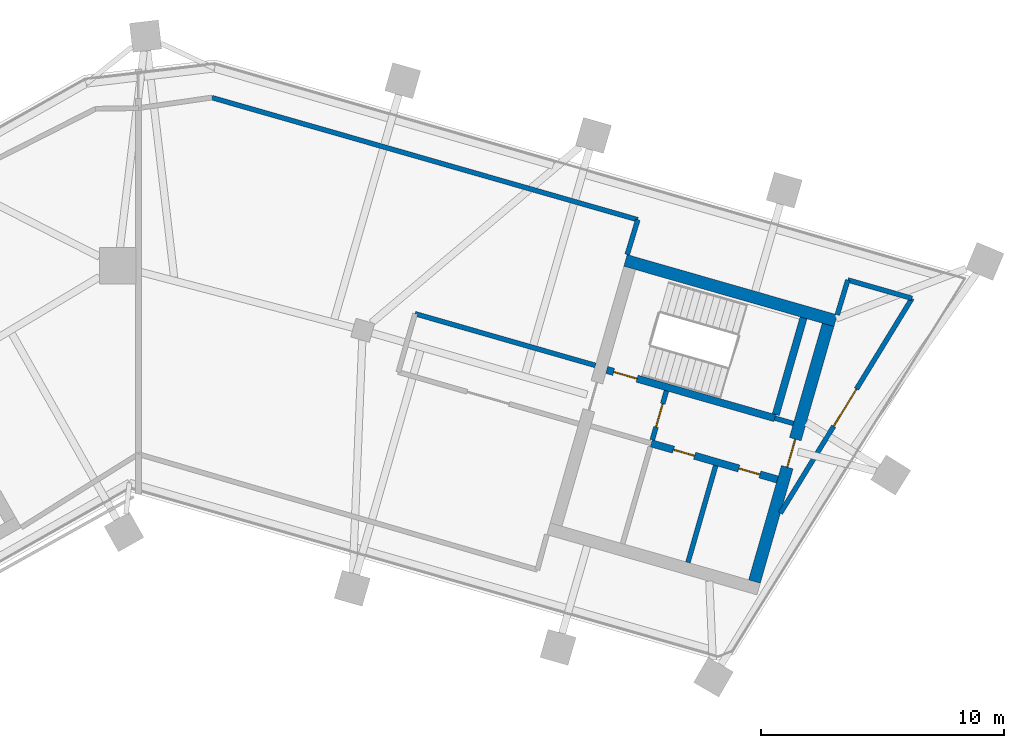
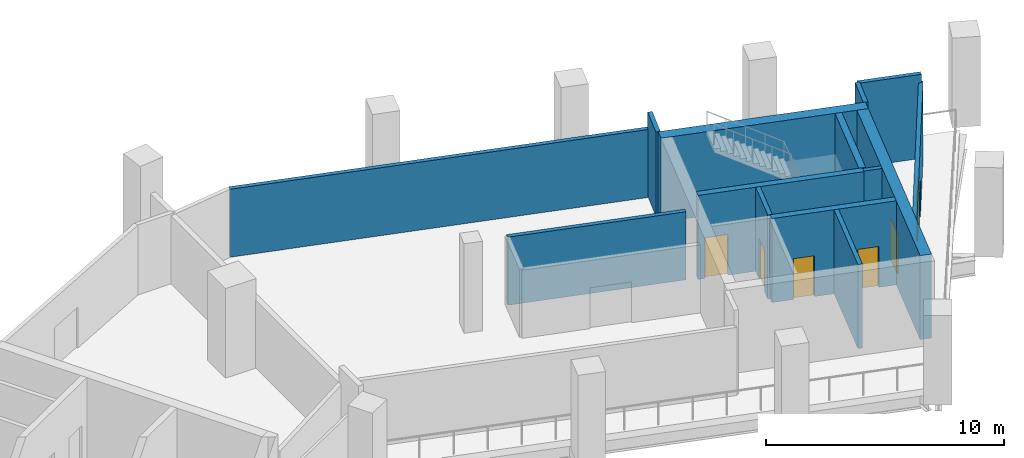
# One storey, part 5 of 8: 14 walls, 6 doors, 6 openings.
"""IFC4 building model written with IfcOpenShell, lengths in metres."""

from ifc_helpers import new_model, si_unit, direction, frame, frame_2d, origin, place, context, subcontext, project, spatial, rectangle, extrude, material, layer, layer_set, type_object, element, fill, save


model = new_model("IFC4")

# Units and contexts
model_context = context("Model", 3, precision=1e-05, world=origin(), true_north=direction((0.0, 1.0)))
body_context = subcontext(model_context, "Body", "Model", "MODEL_VIEW")
ifc_project = project(units=[si_unit("LENGTHUNIT", "METRE"), si_unit("AREAUNIT", "SQUARE_METRE"), si_unit("VOLUMEUNIT", "CUBIC_METRE"), si_unit("PLANEANGLEUNIT", "RADIAN"), si_unit("MASSUNIT", "GRAM", prefix="KILO")], contexts=[model_context])

# Site, building, storey
site_placement = place(None, origin())
site = spatial("IfcSite", under=ifc_project, at=site_placement, CompositionType="ELEMENT")
building_placement = place(site_placement, origin())
building = spatial("IfcBuilding", under=site, at=building_placement, Name="Binnacle Exchange Tower", CompositionType="ELEMENT")
storey_placement = place(building_placement, frame((0.0, 0.0, 202.89990234375)))
storey = spatial("IfcBuildingStorey", under=building, at=storey_placement, Name="L44", CompositionType="ELEMENT", Elevation=202.89990234375)

# Wall
ifc_material_1 = material(Name="Gypsum partition fire rated")
ifc_layer_1 = layer(ifc_material_1, 0.199951171875)
ifc_layer_set_1 = layer_set([ifc_layer_1], Name="Core partition 200")
wall_type_1 = type_object("IfcWallType", Name="Core partition 200", PredefinedType="PARTITIONING", material=ifc_layer_set_1)
wall_1_placement = place(storey_placement, frame((22.63720703125, 47.787353515625, 0.0), z_axis=(0.0, 0.0, 1.0), x_axis=(0.275614546295, 0.961268236171, 0.0)))
element("IfcWall", 1, at=wall_1_placement, inside=storey, type_object=wall_type_1, Name="Core wall CRWD10", PredefinedType="PARTITIONING", context=body_context, shape_type="SweptSolid", body=[
    extrude(rectangle(XDim=4.14990234375, YDim=0.199951171875, at=frame_2d((2.074951171875, 0.0))), origin(), (0.0, 0.0, 1.0), 4.320068359375),
])

# Wall, openings, doors
ifc_material_2 = material(Name="Concrete C70/85", Category="concrete")
ifc_layer_2 = layer(ifc_material_2, 0.300048828125)
ifc_layer_set_2 = layer_set([ifc_layer_2], Name="Core wall - front 300")
wall_type_2 = type_object("IfcWallType", Name="Core wall - front 300", PredefinedType="SOLIDWALL", material=ifc_layer_set_2)
wall_2_placement = place(storey_placement, frame((21.130859375, 52.6923828125, 0.0), z_axis=(0.0, 0.0, 1.0), x_axis=(0.961271043721, -0.27560475414, 0.0)))
wall_2 = element("IfcWall", 2, at=wall_2_placement, inside=storey, type_object=wall_type_2, Name="Core wall CRWD3", PredefinedType="SOLIDWALL", context=body_context, shape_type="SweptSolid", body=[
    extrude(rectangle(XDim=5.400146484375, YDim=0.300048828125, at=frame_2d((2.7001953125, 0.0))), origin(), (0.0, 0.0, 1.0), 4.320068359375),
])
opening_1_placement = place(wall_2_placement, frame((0.949951171875, 0.0, 0.0)))
opening_1 = element("IfcOpeningElement", 3, at=opening_1_placement, cuts=wall_2, Name="Opening DD10", PredefinedType="OPENING", context=body_context, shape_type="SweptSolid", body=[
    extrude(rectangle(XDim=0.89990234375, YDim=2.10009765625, at=frame_2d((0.449951171875, 1.050048828125))), frame((0.0, 0.159912109375, 0.0), z_axis=(0.0, -1.0, 0.0), x_axis=(1.0, 0.0, 0.0)), (0.0, 0.0, 1.0), 0.320068359375),
])
opening_2_placement = place(wall_2_placement, frame((3.75, 0.0, 0.0)))
opening_2 = element("IfcOpeningElement", 4, at=opening_2_placement, cuts=wall_2, Name="Opening DD11", PredefinedType="OPENING", context=body_context, shape_type="SweptSolid", body=[
    extrude(rectangle(XDim=0.89990234375, YDim=2.10009765625, at=frame_2d((0.449951171875, 1.050048828125))), frame((0.0, 0.159912109375, 0.0), z_axis=(0.0, -1.0, 0.0), x_axis=(1.0, 0.0, 0.0)), (0.0, 0.0, 1.0), 0.320068359375),
])
ifc_material_3 = material(Name="Steel door leaf", Category="steel")
door_type_1 = type_object("IfcDoorType", Name="Fire door 900", OperationType="NOTDEFINED", PredefinedType="DOOR", material=ifc_material_3)
door_1_placement = place(opening_1_placement, frame((0.89990234375, 0.0, 0.0), z_axis=(0.0, 0.0, 1.0), x_axis=(-1.0, 0.0, 0.0)))
door_1 = element("IfcDoor", 5, at=door_1_placement, inside=storey, type_object=door_type_1, Name="Core room door FIBRE ENTRY ROOM", OperationType="SINGLE_SWING_RIGHT", OverallHeight=2.10009765625, OverallWidth=0.89990234375, PredefinedType="DOOR", context=body_context, shape_type="SweptSolid", body=[
    extrude(rectangle(XDim=0.89990234375, YDim=2.10009765625, at=frame_2d((0.449951171875, 1.050048828125))), frame((0.0, 0.02490234375, 0.0), z_axis=(0.0, -1.0, 0.0), x_axis=(1.0, 0.0, 0.0)), (0.0, 0.0, 1.0), 0.050048828125),
])
fill(opening_1, door_1)
door_2_placement = place(opening_2_placement, frame((0.89990234375, 0.0, 0.0), z_axis=(0.0, 0.0, 1.0), x_axis=(-1.0, 0.0, 0.0)))
door_2 = element("IfcDoor", 6, at=door_2_placement, inside=storey, type_object=door_type_1, Name="Core room door ELECTRICAL ROOM", OperationType="SINGLE_SWING_LEFT", OverallHeight=2.10009765625, OverallWidth=0.89990234375, PredefinedType="DOOR", context=body_context, shape_type="SweptSolid", body=[
    extrude(rectangle(XDim=0.89990234375, YDim=2.10009765625, at=frame_2d((0.449951171875, 1.050048828125))), frame((0.0, 0.02490234375, 0.0), z_axis=(0.0, -1.0, 0.0), x_axis=(1.0, 0.0, 0.0)), (0.0, 0.0, 1.0), 0.050048828125),
])
fill(opening_2, door_2)

# Wall
ifc_layer_3 = layer(ifc_material_2, 0.5)
ifc_layer_set_3 = layer_set([ifc_layer_3], Name="Core wall - outer 500")
wall_type_3 = type_object("IfcWallType", Name="Core wall - outer 500", PredefinedType="SOLIDWALL", material=ifc_layer_set_3)
wall_3_placement = place(storey_placement, frame((20.066650390625, 60.227783203125, 0.0), z_axis=(0.0, 0.0, 1.0), x_axis=(0.96126248289, -0.275634611374, 0.0)))
element("IfcWall", 7, at=wall_3_placement, inside=storey, type_object=wall_type_3, Name="Core wall CRWD6", PredefinedType="SOLIDWALL", context=body_context, shape_type="SweptSolid", body=[
    extrude(rectangle(XDim=9.0, YDim=0.5, at=frame_2d((4.5, 0.0))), origin(), (0.0, 0.0, 1.0), 4.320068359375),
])

# Wall, opening, door
wall_4_placement = place(storey_placement, frame((25.376708984375, 47.001708984375, 0.0), z_axis=(0.0, 0.0, 1.0), x_axis=(0.275632651182, 0.961263044958, 0.0)))
wall_4 = element("IfcWall", 8, at=wall_4_placement, inside=storey, type_object=wall_type_3, Name="Core wall CRWD12", PredefinedType="SOLIDWALL", context=body_context, shape_type="SweptSolid", body=[
    extrude(rectangle(XDim=11.0, YDim=0.5, at=frame_2d((5.5, 0.0))), origin(), (0.0, 0.0, 1.0), 4.320068359375),
])
opening_3_placement = place(wall_4_placement, frame((4.89990234375, 0.0, 0.0)))
opening_3 = element("IfcOpeningElement", 9, at=opening_3_placement, cuts=wall_4, Name="Opening DD6", PredefinedType="OPENING", context=body_context, shape_type="SweptSolid", body=[
    extrude(rectangle(XDim=1.199951171875, YDim=2.10009765625, at=frame_2d((0.60009765625, 1.050048828125))), frame((0.0, 0.260009765625, 0.0), z_axis=(0.0, -1.0, 0.0), x_axis=(1.0, 0.0, 0.0)), (0.0, 0.0, 1.0), 0.52001953125),
])
door_type_2 = type_object("IfcDoorType", Name="Fire door 1200", OperationType="NOTDEFINED", PredefinedType="DOOR", material=ifc_material_3)
door_3_placement = place(opening_3_placement, frame((1.199951171875, 0.0, 0.0), z_axis=(0.0, 0.0, 1.0), x_axis=(-1.0, 0.0, 0.0)))
door_3 = element("IfcDoor", 10, at=door_3_placement, inside=storey, type_object=door_type_2, Name="Core passage exit door", OperationType="SINGLE_SWING_RIGHT", OverallHeight=2.10009765625, OverallWidth=1.199951171875, PredefinedType="DOOR", context=body_context, shape_type="SweptSolid", body=[
    extrude(rectangle(XDim=1.199951171875, YDim=2.10009765625, at=frame_2d((0.60009765625, 1.050048828125))), frame((0.0, 0.02490234375, 0.0), z_axis=(0.0, -1.0, 0.0), x_axis=(1.0, 0.0, 0.0)), (0.0, 0.0, 1.0), 0.050048828125),
])
fill(opening_3, door_3)

ifc_layer_4 = layer(ifc_material_2, 0.300048828125)
ifc_layer_set_4 = layer_set([ifc_layer_4], Name="Core wall - stair 300")
wall_type_4 = type_object("IfcWallType", Name="Core wall - stair 300", PredefinedType="SOLIDWALL", material=ifc_layer_set_4)
wall_5_placement = place(storey_placement, frame((19.293212890625, 55.71630859375, 0.0), z_axis=(0.0, 0.0, 1.0), x_axis=(0.96125862491, -0.275648065539, 0.0)))
wall_5 = element("IfcWall", 11, at=wall_5_placement, inside=storey, type_object=wall_type_4, Name="Core wall CRWD4", PredefinedType="SOLIDWALL", context=body_context, shape_type="SweptSolid", body=[
    extrude(rectangle(XDim=7.199951171875, YDim=0.300048828125, at=frame_2d((3.60009765625, 0.0))), origin(), (0.0, 0.0, 1.0), 4.320068359375),
])
opening_4_placement = place(wall_5_placement, frame((0.300048828125, 0.0, 0.0)))
opening_4 = element("IfcOpeningElement", 12, at=opening_4_placement, cuts=wall_5, Name="Opening DD1", PredefinedType="OPENING", context=body_context, shape_type="SweptSolid", body=[
    extrude(rectangle(XDim=1.0, YDim=2.10009765625, at=frame_2d((0.5, 1.050048828125))), frame((0.0, 0.159912109375, 0.0), z_axis=(0.0, -1.0, 0.0), x_axis=(1.0, 0.0, 0.0)), (0.0, 0.0, 1.0), 0.320068359375),
])
door_type_3 = type_object("IfcDoorType", Name="Fire door 1000", OperationType="NOTDEFINED", PredefinedType="DOOR", material=ifc_material_3)
door_4_placement = place(opening_4_placement, origin())
door_4 = element("IfcDoor", 13, at=door_4_placement, inside=storey, type_object=door_type_3, Name="Stair door ST-D1", OperationType="SINGLE_SWING_LEFT", OverallHeight=2.10009765625, OverallWidth=1.0, PredefinedType="DOOR", context=body_context, shape_type="SweptSolid", body=[
    extrude(rectangle(XDim=1.0, YDim=2.10009765625, at=frame_2d((0.5, 1.050048828125))), frame((0.0, 0.02490234375, 0.0), z_axis=(0.0, -1.0, 0.0), x_axis=(1.0, 0.0, 0.0)), (0.0, 0.0, 1.0), 0.050048828125),
])
fill(opening_4, door_4)

# Walls
wall_6_placement = place(storey_placement, frame((26.255615234375, 53.875732421875, 0.0), z_axis=(0.0, 0.0, 1.0), x_axis=(0.275614546295, 0.961268236171, 0.0)))
element("IfcWall", 14, at=wall_6_placement, inside=storey, type_object=wall_type_4, Name="Core wall CRWD11", PredefinedType="SOLIDWALL", context=body_context, shape_type="SweptSolid", body=[
    extrude(rectangle(XDim=4.14990234375, YDim=0.300048828125, at=frame_2d((2.074951171875, 0.0))), origin(), (0.0, 0.0, 1.0), 4.320068359375),
])
ifc_material_4 = material(Name="Masonry block wall", Category="masonry")
ifc_layer_5 = layer(ifc_material_4, 0.199951171875)
ifc_layer_set_5 = layer_set([ifc_layer_5], Name="Fire wall - block 200")
wall_type_5 = type_object("IfcWallType", Name="Fire wall - block 200", PredefinedType="PARTITIONING", material=ifc_layer_set_5)
wall_7_placement = place(storey_placement, frame((3.029052734375, 66.93408203125, 0.0), z_axis=(0.0, 0.0, 1.0), x_axis=(0.961266574638, -0.2756203412, 0.0)))
element("IfcWall", 15, at=wall_7_placement, inside=storey, type_object=wall_type_5, Name="Partition W30", PredefinedType="PARTITIONING", context=body_context, shape_type="SweptSolid", body=[
    extrude(rectangle(XDim=18.249755859375, YDim=0.199951171875, at=frame_2d((9.125, 0.0))), origin(), (0.0, 0.0, 1.0), 3.4921875),
])
wall_8_placement = place(storey_placement, frame((11.39892578125, 58.031982421875, 0.0), z_axis=(0.0, 0.0, 1.0), x_axis=(0.96125400461, -0.275664177253, 0.0)))
element("IfcWall", 16, at=wall_8_placement, inside=storey, type_object=wall_type_5, Name="Partition W33", PredefinedType="PARTITIONING", context=body_context, shape_type="SweptSolid", body=[
    extrude(rectangle(XDim=7.726318359375, YDim=0.199951171875, at=frame_2d((3.86328125, 0.0))), origin(), (0.0, 0.0, 1.0), 3.5),
])
wall_9_placement = place(storey_placement, frame((20.135986328125, 60.468017578125, 0.0), z_axis=(0.0, 0.0, 1.0), x_axis=(0.290540119102, 0.956862811061, 0.0)))
element("IfcWall", 17, at=wall_9_placement, inside=storey, type_object=wall_type_5, Name="Partition W35", PredefinedType="PARTITIONING", context=body_context, shape_type="SweptSolid", body=[
    extrude(rectangle(XDim=1.500732421875, YDim=0.199951171875, at=frame_2d((0.75048828125, 0.0))), origin(), (0.0, 0.0, 1.0), 4.320068359375),
])

# Wall, opening, door
wall_10_placement = place(storey_placement, frame((26.444091796875, 49.81689453125, 0.0), z_axis=(0.0, 0.0, 1.0), x_axis=(0.522479302965, 0.852651967671, 0.0)))
wall_10 = element("IfcWall", 18, at=wall_10_placement, inside=storey, type_object=wall_type_5, Name="Partition W36", PredefinedType="PARTITIONING", context=body_context, shape_type="SweptSolid", body=[
    extrude(rectangle(XDim=10.377197265625, YDim=0.199951171875, at=frame_2d((5.1884765625, 0.0))), origin(), (0.0, 0.0, 1.0), 3.900146484375),
])
opening_5_placement = place(wall_10_placement, frame((4.199951171875, 0.0, 0.0)))
opening_5 = element("IfcOpeningElement", 19, at=opening_5_placement, cuts=wall_10, Name="Opening DL44-10", PredefinedType="OPENING", context=body_context, shape_type="SweptSolid", body=[
    extrude(rectangle(XDim=1.800048828125, YDim=2.10009765625, at=frame_2d((0.89990234375, 1.050048828125))), frame((0.0, 0.10986328125, 0.0), z_axis=(0.0, -1.0, 0.0), x_axis=(1.0, 0.0, 0.0)), (0.0, 0.0, 1.0), 0.219970703125),
])
door_type_4 = type_object("IfcDoorType", Name="Fire door 1800", OperationType="NOTDEFINED", PredefinedType="DOOR", material=ifc_material_3)
door_5_placement = place(opening_5_placement, origin())
door_5 = element("IfcDoor", 20, at=door_5_placement, inside=storey, type_object=door_type_4, Name="Door DL44-10", OperationType="DOUBLE_DOOR_SINGLE_SWING", OverallHeight=2.10009765625, OverallWidth=1.800048828125, PredefinedType="DOOR", context=body_context, shape_type="SweptSolid", body=[
    extrude(rectangle(XDim=1.800048828125, YDim=2.10009765625, at=frame_2d((0.89990234375, 1.050048828125))), frame((0.0, 0.02490234375, 0.0), z_axis=(0.0, -1.0, 0.0), x_axis=(1.0, 0.0, 0.0)), (0.0, 0.0, 1.0), 0.050048828125),
])
fill(opening_5, door_5)

# Walls
wall_11_placement = place(storey_placement, frame((28.787109375, 57.987060546875, 0.0), z_axis=(0.0, 0.0, 1.0), x_axis=(0.290391164202, 0.9569080268, 0.0)))
element("IfcWall", 21, at=wall_11_placement, inside=storey, type_object=wall_type_5, Name="Partition W37", PredefinedType="PARTITIONING", context=body_context, shape_type="SweptSolid", body=[
    extrude(rectangle(XDim=1.500732421875, YDim=0.199951171875, at=frame_2d((0.75048828125, 0.0))), origin(), (0.0, 0.0, 1.0), 4.320068359375),
])
wall_12_placement = place(storey_placement, frame((29.222900390625, 59.423095703125, 0.0), z_axis=(0.0, 0.0, 1.0), x_axis=(0.961245356611, -0.27569433145, 0.0)))
element("IfcWall", 22, at=wall_12_placement, inside=storey, type_object=wall_type_5, Name="Partition W38", PredefinedType="PARTITIONING", context=body_context, shape_type="SweptSolid", body=[
    extrude(rectangle(XDim=2.74951171875, YDim=0.199951171875, at=frame_2d((1.374755859375, 0.0))), origin(), (0.0, 0.0, 1.0), 4.320068359375),
])

# Wall, opening, door
ifc_layer_6 = layer(ifc_material_4, 0.199951171875)
ifc_layer_set_6 = layer_set([ifc_layer_6], Name="Fire wall - vestibule 200")
wall_type_6 = type_object("IfcWallType", Name="Fire wall - vestibule 200", PredefinedType="PARTITIONING", material=ifc_layer_set_6)
wall_13_placement = place(storey_placement, frame((21.172119140625, 52.836669921875, 0.0), z_axis=(0.0, 0.0, 1.0), x_axis=(0.275657676022, 0.961255868981, 0.0)))
wall_13 = element("IfcWall", 23, at=wall_13_placement, inside=storey, type_object=wall_type_6, Name="Core wall CRWD9", PredefinedType="PARTITIONING", context=body_context, shape_type="SweptSolid", body=[
    extrude(rectangle(XDim=2.099853515625, YDim=0.199951171875, at=frame_2d((1.0498046875, 0.0))), origin(), (0.0, 0.0, 1.0), 4.320068359375),
])
opening_6_placement = place(wall_13_placement, frame((0.550048828125, 0.0, 0.0)))
opening_6 = element("IfcOpeningElement", 24, at=opening_6_placement, cuts=wall_13, Name="Opening DD3", PredefinedType="OPENING", context=body_context, shape_type="SweptSolid", body=[
    extrude(rectangle(XDim=1.0, YDim=2.10009765625, at=frame_2d((0.5, 1.050048828125))), frame((0.0, 0.10986328125, 0.0), z_axis=(0.0, -1.0, 0.0), x_axis=(1.0, 0.0, 0.0)), (0.0, 0.0, 1.0), 0.219970703125),
])
door_6_placement = place(opening_6_placement, origin())
door_6 = element("IfcDoor", 25, at=door_6_placement, inside=storey, type_object=door_type_3, Name="Vestibule door VEST-W", OperationType="SINGLE_SWING_RIGHT", OverallHeight=2.10009765625, OverallWidth=1.0, PredefinedType="DOOR", context=body_context, shape_type="SweptSolid", body=[
    extrude(rectangle(XDim=1.0, YDim=2.10009765625, at=frame_2d((0.5, 1.050048828125))), frame((0.0, 0.02490234375, 0.0), z_axis=(0.0, -1.0, 0.0), x_axis=(1.0, 0.0, 0.0)), (0.0, 0.0, 1.0), 0.050048828125),
])
fill(opening_6, door_6)

# Wall
ifc_layer_7 = layer(ifc_material_4, 0.199951171875)
ifc_layer_set_7 = layer_set([ifc_layer_7], Name="Riser wall 200")
wall_type_7 = type_object("IfcWallType", Name="Riser wall 200", PredefinedType="SOLIDWALL", material=ifc_layer_set_7)
wall_14_placement = place(storey_placement, frame((26.214111328125, 53.731689453125, 0.0), z_axis=(0.0, 0.0, 1.0), x_axis=(0.961200870072, -0.275849392554, 0.0)))
element("IfcWall", 26, at=wall_14_placement, inside=storey, type_object=wall_type_7, Name="Core wall CRWD5", PredefinedType="SOLIDWALL", context=body_context, shape_type="SweptSolid", body=[
    extrude(rectangle(XDim=0.800048828125, YDim=0.199951171875, at=frame_2d((0.39990234375, 0.0))), origin(), (0.0, 0.0, 1.0), 4.320068359375),
])

save(model, "model.ifc")
